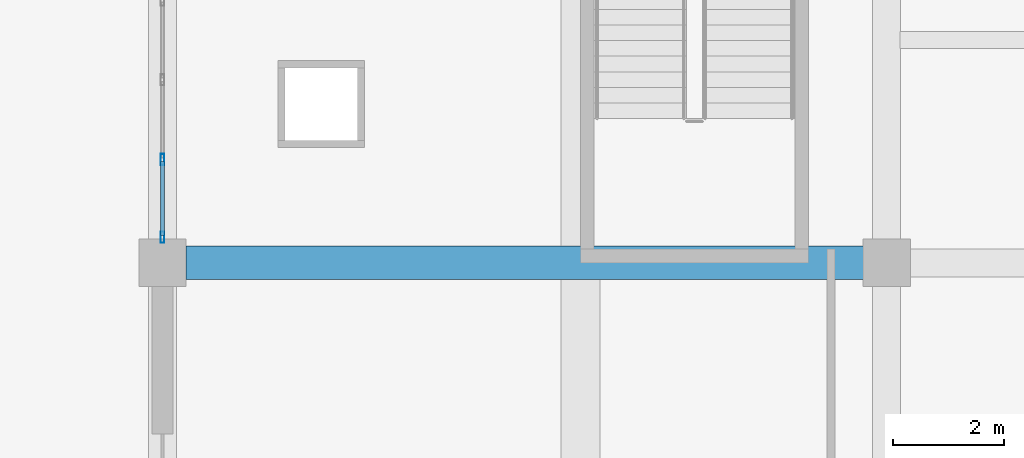
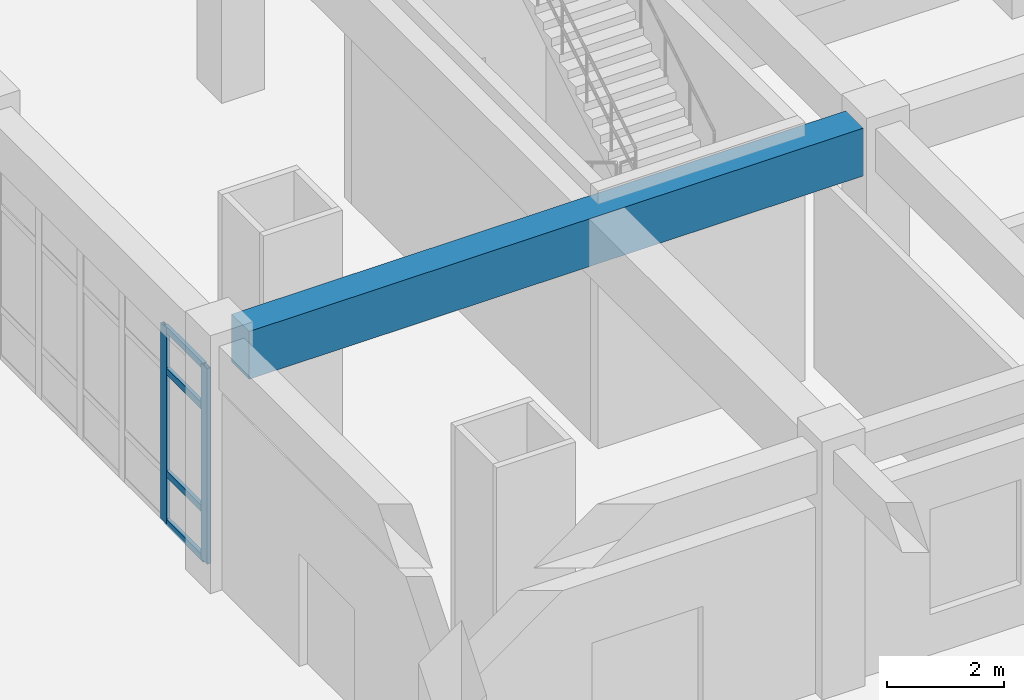
# One storey, part 3 of 84: 6 members, 1 beam, 1 element without a shape of its own.
"""IFC4 building model written with IfcOpenShell, lengths in metres."""

import ifcopenshell
import ifcopenshell.guid

model = None  # the IFC model being written
_history = None  # IfcOwnerHistory: only IFC2X3 demands one
_inside = {}  # id of a spatial element -> (the spatial element, [elements in it])
_under = {}  # id of a project, library or spatial element -> (it, [spatial elements below it])
_declared = {}  # id of a project -> (the project, [libraries it declares])
_typed = {}  # id of a type object -> (the type object, [elements of that type])
_made_of = {}  # id of a material, layer set ... -> (it, [elements and type objects made of it])


def new_model(schema):
    """Start an empty IFC model of exactly this schema.

    Asked for "IFC4X3", IfcOpenShell would pick the latest addendum, in which some entities
    have other attributes; the version numbers below select the first issue.
    IFC2X3 requires an IfcOwnerHistory on every rooted entity: one is made here for all.
    """
    global model, _history
    if schema == "IFC4X3":
        model = ifcopenshell.file(schema_version=(4, 3, 0, 0))
    else:
        model = ifcopenshell.file(schema=schema)
    _inside.clear()
    _under.clear()
    _declared.clear()
    _typed.clear()
    _made_of.clear()
    _history = None
    if model.schema == "IFC2X3":
        org = make("IfcOrganization", Name="unknown")
        user = make(
            "IfcPersonAndOrganization",
            ThePerson=make("IfcPerson", FamilyName="unknown"),
            TheOrganization=org,
        )
        app = make(
            "IfcApplication",
            ApplicationDeveloper=org,
            Version="unknown",
            ApplicationFullName="unknown",
            ApplicationIdentifier="unknown",
        )
        _history = make(
            "IfcOwnerHistory",
            OwningUser=user,
            OwningApplication=app,
            ChangeAction="ADDED",
            CreationDate=0,
        )
    return model


def make(cls, **values):
    """One entity of the class cls with the attributes given. An attribute that is None is left unset."""
    return model.create_entity(
        cls, **{name: value for name, value in values.items() if value is not None}
    )


def rooted(cls, **values):
    """An entity with a GlobalId (a new one), such as an element, a storey or a relation."""
    return make(cls, GlobalId=ifcopenshell.guid.new(), OwnerHistory=_history, **values)


def si_unit(unit_type, name, prefix=None):
    """IfcSIUnit, for example si_unit("LENGTHUNIT", "METRE", prefix="MILLI")."""
    return make("IfcSIUnit", UnitType=unit_type, Prefix=prefix, Name=name)


def assignment(units):
    """IfcUnitAssignment: the units of a project."""
    return None if units is None else make("IfcUnitAssignment", Units=units)


def point(xyz):
    """IfcCartesianPoint."""
    return None if xyz is None else make("IfcCartesianPoint", Coordinates=xyz)


def direction(xyz):
    """IfcDirection."""
    return None if xyz is None else make("IfcDirection", DirectionRatios=xyz)


def frame(location, z_axis=None, x_axis=None):
    """IfcAxis2Placement3D, a coordinate frame: its origin and axes. An axis left out is left unset."""
    return make(
        "IfcAxis2Placement3D",
        Location=point(location),
        Axis=direction(z_axis),
        RefDirection=direction(x_axis),
    )


def frame_2d(location, x_axis=None):
    """IfcAxis2Placement2D, a coordinate frame in the plane: its origin and x axis."""
    return make(
        "IfcAxis2Placement2D", Location=point(location), RefDirection=direction(x_axis)
    )


def origin():
    """The frame at (0, 0, 0) with its axes left unset."""
    return frame((0.0, 0.0, 0.0))


def origin_2d():
    """The frame at (0, 0) in the plane with its x axis left unset."""
    return frame_2d((0.0, 0.0))


def place(relative_to, where):
    """IfcLocalPlacement: puts the frame where relative to a parent placement (None: the world)."""
    return make(
        "IfcLocalPlacement", PlacementRelTo=relative_to, RelativePlacement=where
    )


def context(
    kind, dimensions, precision=None, world=None, true_north=None, identifier=None
):
    """IfcGeometricRepresentationContext, for example the 3D "Model" context."""
    return make(
        "IfcGeometricRepresentationContext",
        ContextIdentifier=identifier,
        ContextType=kind,
        CoordinateSpaceDimension=dimensions,
        Precision=precision,
        WorldCoordinateSystem=world,
        TrueNorth=true_north,
    )


def subcontext(parent, identifier, kind, view, scale=None):
    """IfcGeometricRepresentationSubContext, for example "Body" below "Model"."""
    return make(
        "IfcGeometricRepresentationSubContext",
        ContextIdentifier=identifier,
        ContextType=kind,
        ParentContext=parent,
        TargetScale=scale,
        TargetView=view,
    )


def project(units=None, contexts=None):
    """IfcProject with its units and contexts."""
    return rooted(
        "IfcProject",
        Name="project",
        RepresentationContexts=contexts,
        UnitsInContext=assignment(units),
    )


def spatial(cls, under=None, at=None, **own):
    """A site, building, storey or space (cls), placed at a placement, below another one or the project."""
    s = rooted(cls, ObjectPlacement=at, **own)
    if under is not None:
        _under.setdefault(under.id(), (under, []))[1].append(s)
    return s


def profile(cls, at=None, kind="AREA", **sizes):
    """A parametric profile (cls). Its sizes go by their IFC names, for example OverallWidth=200.0."""
    return make(cls, ProfileType=kind, Position=at, **sizes)


def rectangle(**sizes):
    """IfcRectangleProfileDef."""
    return profile("IfcRectangleProfileDef", **sizes)


def hollow_rectangle(**sizes):
    """IfcRectangleHollowProfileDef."""
    return profile("IfcRectangleHollowProfileDef", **sizes)


def extrude(swept, where, along, depth):
    """IfcExtrudedAreaSolid: the profile swept, set in the frame where, extruded along a direction by depth."""
    return make(
        "IfcExtrudedAreaSolid",
        SweptArea=swept,
        Position=where,
        ExtrudedDirection=direction(along),
        Depth=depth,
    )


def shape(context_of_items, identifier, shape_type, items):
    """IfcShapeRepresentation: the items that make up one representation, for example the "Body"."""
    return make(
        "IfcShapeRepresentation",
        ContextOfItems=context_of_items,
        RepresentationIdentifier=identifier,
        RepresentationType=shape_type,
        Items=items,
    )


def material(Name=None, Category=None):
    """IfcMaterial."""
    return make("IfcMaterial", Name=Name, Category=Category)


def layer(
    of_material, thickness, ventilated=None, Name=None, Category=None, Priority=None
):
    """IfcMaterialLayer: one layer of a wall or slab, of a material (None: an air gap)."""
    return make(
        "IfcMaterialLayer",
        Material=of_material,
        LayerThickness=thickness,
        IsVentilated=ventilated,
        Name=Name,
        Category=Category,
        Priority=Priority,
    )


def layer_set(layers, Name=None):
    """IfcMaterialLayerSet."""
    return make("IfcMaterialLayerSet", MaterialLayers=layers, LayerSetName=Name)


def material_profile(
    of_material, cross_section, Name=None, Category=None, Priority=None
):
    """IfcMaterialProfile: a cross section and its material."""
    return make(
        "IfcMaterialProfile",
        Name=Name,
        Material=of_material,
        Profile=cross_section,
        Priority=Priority,
        Category=Category,
    )


def profile_set(profiles, Name=None, composite=None):
    """IfcMaterialProfileSet."""
    return make(
        "IfcMaterialProfileSet",
        Name=Name,
        MaterialProfiles=profiles,
        CompositeProfile=composite,
    )


def made_of(thing, what):
    """Note that an element or type object is made of a material, layer set ...; save() writes the relation."""
    if what is not None:
        _made_of.setdefault(what.id(), (what, []))[1].append(thing)
    return thing


def type_object(cls, material=None, **own):
    """A type object (cls), such as IfcWallType, which elements share."""
    return made_of(rooted(cls, **own), material)


def element(
    cls,
    number,
    at=None,
    inside=None,
    cuts=None,
    type_object=None,
    material=None,
    context=None,
    identifier="Body",
    shape_type=None,
    held_by="IfcProductDefinitionShape",
    body=None,
    shapes=None,
    **own,
):
    """One element of the class cls, such as IfcWall. Its Tag is "e" and its number.

    at: its placement. inside: the storey or other place that contains it. cuts: it is an
    opening in that element (IfcRelVoidsElement). A single representation is given by context,
    identifier, shape_type and body (its items); several are given by shapes. held_by: the class
    of the entity that holds the representations. save() writes the other relations.
    """
    e = rooted(cls, Tag="e%d" % number, ObjectPlacement=at, **own)
    if body is not None:
        shapes = [shape(context, identifier, shape_type, body)]
    if shapes is not None:
        e.Representation = make(held_by, Representations=shapes)
    if inside is not None:
        _inside.setdefault(inside.id(), (inside, []))[1].append(e)
    if cuts is not None:
        rooted(
            "IfcRelVoidsElement", RelatingBuildingElement=cuts, RelatedOpeningElement=e
        )
    if type_object is not None:
        _typed.setdefault(type_object.id(), (type_object, []))[1].append(e)
    return made_of(e, material)


def aggregate(whole, parts):
    """IfcRelAggregates: a whole, such as a stair, and the parts it consists of."""
    return rooted("IfcRelAggregates", RelatingObject=whole, RelatedObjects=parts)


def save(model, path):
    """Write the relations noted so far, then the file.

    IfcRelAggregates (storeys below a building ...), IfcRelContainedInSpatialStructure (elements
    in a storey), IfcRelDefinesByType, IfcRelAssociatesMaterial and IfcRelDeclares: one each for
    every whole, place, type object, material and project.
    """
    for whole, parts in _under.values():
        aggregate(whole, parts)
    for where, things in _inside.values():
        rooted(
            "IfcRelContainedInSpatialStructure",
            RelatedElements=things,
            RelatingStructure=where,
        )
    for kind, things in _typed.values():
        rooted("IfcRelDefinesByType", RelatedObjects=things, RelatingType=kind)
    for what, things in _made_of.values():
        rooted("IfcRelAssociatesMaterial", RelatedObjects=things, RelatingMaterial=what)
    for by, libraries in _declared.values():
        rooted("IfcRelDeclares", RelatingContext=by, RelatedDefinitions=libraries)
    model.write(path)


model = new_model("IFC4")

# Units and contexts
model_context = context("Model", 3, precision=1e-05, world=origin(), true_north=direction((0.0, 1.0)))
body_context = subcontext(model_context, "Body", "Model", "MODEL_VIEW")
ifc_project = project(units=[si_unit("LENGTHUNIT", "METRE"), si_unit("AREAUNIT", "SQUARE_METRE"), si_unit("VOLUMEUNIT", "CUBIC_METRE"), si_unit("PLANEANGLEUNIT", "RADIAN"), si_unit("MASSUNIT", "GRAM", prefix="KILO")], contexts=[model_context])

# Site, building, storey
site_placement = place(None, origin())
site = spatial("IfcSite", under=ifc_project, at=site_placement, CompositionType="ELEMENT")
building_placement = place(site_placement, origin())
building = spatial("IfcBuilding", under=site, at=building_placement, Name="Muzn Square Opera House", CompositionType="ELEMENT")
storey_placement = place(building_placement, origin())
storey = spatial("IfcBuildingStorey", under=building, at=storey_placement, Name="L00", CompositionType="ELEMENT", Elevation=0.0)

# Curtain wall, members
ifc_material_1 = material(Name="Low-E laminated acoustic double glazing", Category="glass")
ifc_layer = layer(ifc_material_1, 0.159912109375, Name="Low-E laminated acoustic double glazing", Category="glass")
ifc_layer_set = layer_set([ifc_layer], Name="Low-E laminated acoustic double glazing")
curtain_wall_type = type_object("IfcCurtainWallType", Name="Glazed Curtain Wall WestBlvd 7150x4100", PredefinedType="USERDEFINED", material=ifc_layer_set)
curtain_wall_placement = place(storey_placement, origin())
curtain_wall = element("IfcCurtainWall", 1, at=curtain_wall_placement, inside=storey, type_object=curtain_wall_type, Name="Glazed Curtain Wall CW-L00-134", ObjectType="GLAZED CURTAIN WALL", PredefinedType="USERDEFINED")
ifc_material_2 = material(Name="Anodised bronze aluminium 6063-T6", Category="metal")
ifc_material_profile_1 = material_profile(ifc_material_2, hollow_rectangle(XDim=0.070068359375, YDim=0.199951171875, WallThickness=0.0048828125, at=origin_2d()), Name="ALU 200x70x5", Category="metal")
ifc_profile_set_1 = profile_set([ifc_material_profile_1], Name="Anodised bronze aluminium 6063-T6")
member_type_1 = type_object("IfcMemberType", Name="Curtain Wall Mullion 200x70", PredefinedType="MULLION", material=ifc_profile_set_1)
member_1_placement = place(storey_placement, frame((6.0, 14.4599609375, 0.0), z_axis=(0.0, 0.0, 1.0), x_axis=(-1.0, 0.0, 0.0)))
member_1 = element("IfcMember", 2, at=member_1_placement, type_object=member_type_1, Name="CW-WBL-71x41 mullion 1", PredefinedType="MULLION", context=body_context, shape_type="SweptSolid", body=[
    extrude(hollow_rectangle(XDim=0.070068359375, YDim=0.199951171875, WallThickness=0.0048828125, at=origin_2d()), origin(), (0.0, 0.0, 1.0), 4.10009765625),
])
member_2_placement = place(storey_placement, frame((6.0, 15.85498046875, 0.0), z_axis=(0.0, 0.0, 1.0), x_axis=(-1.0, 0.0, 0.0)))
member_2 = element("IfcMember", 3, at=member_2_placement, type_object=member_type_1, Name="CW-WBL-71x41 mullion 2", PredefinedType="MULLION", context=body_context, shape_type="SweptSolid", body=[
    extrude(hollow_rectangle(XDim=0.070068359375, YDim=0.199951171875, WallThickness=0.0048828125, at=origin_2d()), origin(), (0.0, 0.0, 1.0), 4.10009765625),
])
ifc_material_profile_2 = material_profile(ifc_material_2, hollow_rectangle(XDim=0.070068359375, YDim=0.139892578125, WallThickness=0.00390625, at=origin_2d()), Name="ALU 140x70x4", Category="metal")
ifc_profile_set_2 = profile_set([ifc_material_profile_2], Name="Anodised bronze aluminium 6063-T6")
member_type_2 = type_object("IfcMemberType", Name="Curtain Wall Transom 140x70", PredefinedType="USERDEFINED", material=ifc_profile_set_2)
member_3_placement = place(storey_placement, frame((6.0, 14.4951171875, 0.034912109375), z_axis=(0.0, 1.0, 0.0), x_axis=(-1.0, 0.0, 0.0)))
member_3 = element("IfcMember", 4, at=member_3_placement, type_object=member_type_2, Name="CW-WBL-71x41 transom 1.1", ObjectType="TRANSOM", PredefinedType="USERDEFINED", context=body_context, shape_type="SweptSolid", body=[
    extrude(hollow_rectangle(XDim=0.070068359375, YDim=0.139892578125, WallThickness=0.00390625, at=origin_2d()), origin(), (0.0, 0.0, 1.0), 1.324951171875),
])
member_4_placement = place(storey_placement, frame((6.0, 14.4951171875, 1.050048828125), z_axis=(0.0, 1.0, 0.0), x_axis=(-1.0, 0.0, 0.0)))
member_4 = element("IfcMember", 5, at=member_4_placement, type_object=member_type_2, Name="CW-WBL-71x41 transom 1.2", ObjectType="TRANSOM", PredefinedType="USERDEFINED", context=body_context, shape_type="SweptSolid", body=[
    extrude(hollow_rectangle(XDim=0.070068359375, YDim=0.139892578125, WallThickness=0.00390625, at=origin_2d()), origin(), (0.0, 0.0, 1.0), 1.324951171875),
])
member_5_placement = place(storey_placement, frame((6.0, 14.4951171875, 3.199951171875), z_axis=(0.0, 1.0, 0.0), x_axis=(-1.0, 0.0, 0.0)))
member_5 = element("IfcMember", 6, at=member_5_placement, type_object=member_type_2, Name="CW-WBL-71x41 transom 1.3", ObjectType="TRANSOM", PredefinedType="USERDEFINED", context=body_context, shape_type="SweptSolid", body=[
    extrude(hollow_rectangle(XDim=0.070068359375, YDim=0.139892578125, WallThickness=0.00390625, at=origin_2d()), origin(), (0.0, 0.0, 1.0), 1.324951171875),
])
member_6_placement = place(storey_placement, frame((6.0, 14.4951171875, 4.06494140625), z_axis=(0.0, 1.0, 0.0), x_axis=(-1.0, 0.0, 0.0)))
member_6 = element("IfcMember", 7, at=member_6_placement, type_object=member_type_2, Name="CW-WBL-71x41 transom 1.4", ObjectType="TRANSOM", PredefinedType="USERDEFINED", context=body_context, shape_type="SweptSolid", body=[
    extrude(hollow_rectangle(XDim=0.070068359375, YDim=0.139892578125, WallThickness=0.00390625, at=origin_2d()), origin(), (0.0, 0.0, 1.0), 1.324951171875),
])
aggregate(curtain_wall, [member_1, member_2, member_3, member_4, member_5, member_6])

# Beam
ifc_material_3 = material(Name="Concrete C40/50", Category="concrete")
ifc_material_profile_3 = material_profile(ifc_material_3, rectangle(XDim=0.60009765625, YDim=1.0, at=origin_2d()), Name="RCB 600x1000", Category="concrete")
ifc_profile_set_3 = profile_set([ifc_material_profile_3], Name="Concrete C40/50")
beam_type = type_object("IfcBeamType", Name="Primary Girder 600x1000", PredefinedType="BEAM", material=ifc_profile_set_3)
beam_placement = place(storey_placement, frame((6.4169921875, 14.0, 4.6201171875), z_axis=(1.0, 0.0, 0.0), x_axis=(0.0, 1.0, 0.0)))
element("IfcBeam", 8, at=beam_placement, inside=storey, type_object=beam_type, Name="Primary Girder BM-L00-BM-PG1000-64_140_186_140-748", PredefinedType="BEAM", context=body_context, shape_type="SweptSolid", body=[
    extrude(rectangle(XDim=0.60009765625, YDim=1.0, at=origin_2d()), origin(), (0.0, 0.0, 1.0), 12.166015625),
])

save(model, "model.ifc")
